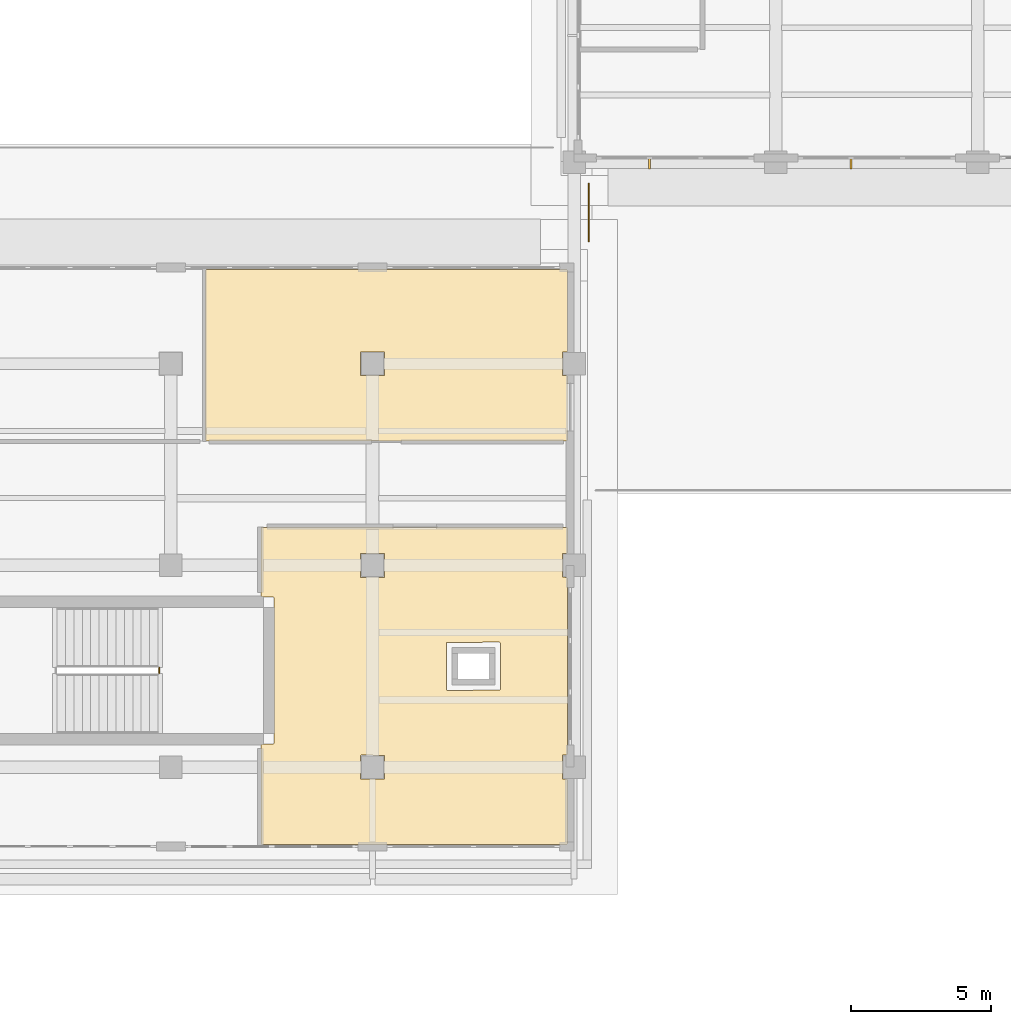
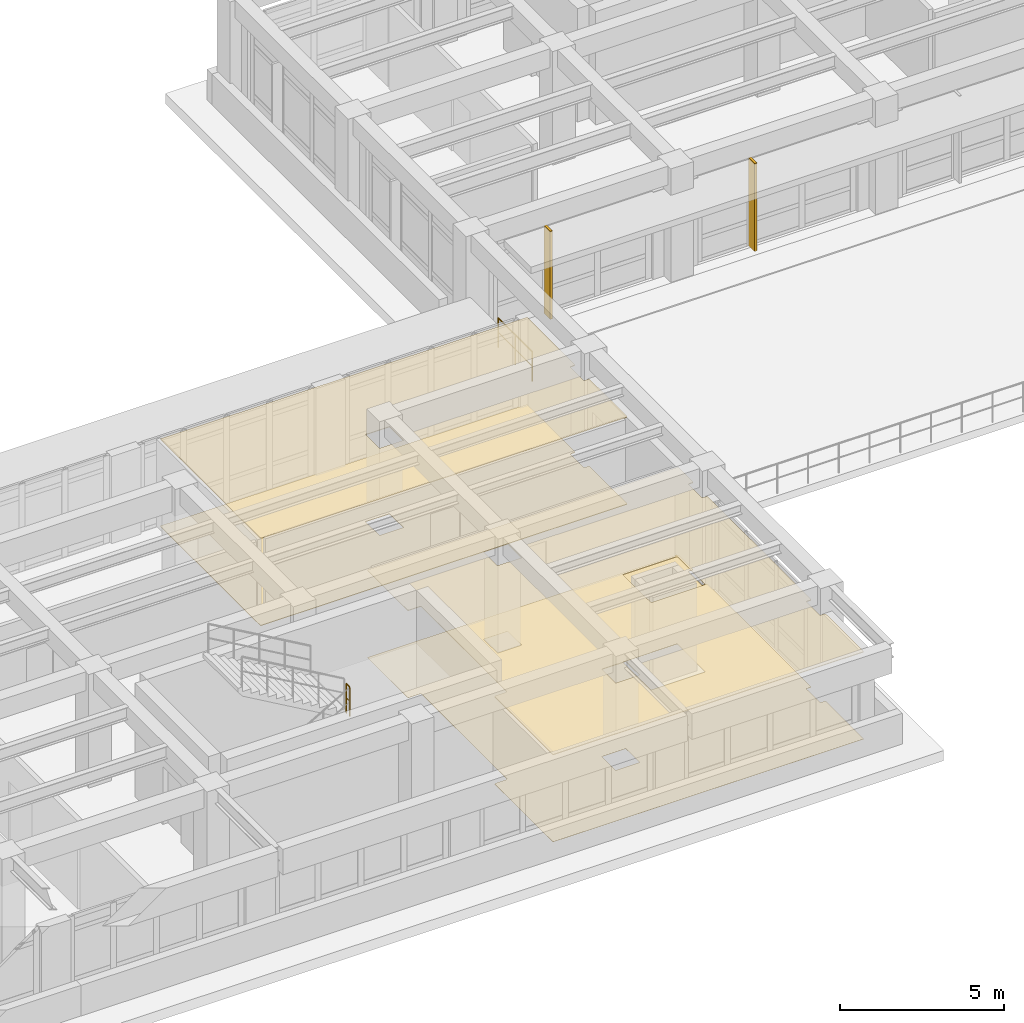
# One storey, part 59 of 67: 4 coverings, 2 railings, 2 shading devices.
"""IFC4 building model written with IfcOpenShell, lengths in metres."""

from ifc_helpers import new_model, si_unit, direction, frame, origin, origin_2d, place, context, subcontext, project, spatial, polyline, rectangle, circle, outline, extrude, material, layer, layer_set, material_profile, profile_set, type_object, element, save


model = new_model("IFC4")

# Units and contexts
model_context = context("Model", 3, precision=1e-05, world=origin(), true_north=direction((0.0, 1.0)))
body_context = subcontext(model_context, "Body", "Model", "MODEL_VIEW")
ifc_project = project(units=[si_unit("LENGTHUNIT", "METRE"), si_unit("AREAUNIT", "SQUARE_METRE"), si_unit("VOLUMEUNIT", "CUBIC_METRE"), si_unit("PLANEANGLEUNIT", "RADIAN"), si_unit("MASSUNIT", "GRAM", prefix="KILO")], contexts=[model_context])

# Site, building, storey
site_placement = place(None, origin())
site = spatial("IfcSite", under=ifc_project, at=site_placement, CompositionType="ELEMENT")
building_placement = place(site_placement, origin())
building = spatial("IfcBuilding", under=site, at=building_placement, Name="Solenvale Faculty of Natural Sciences", CompositionType="ELEMENT")
storey_placement = place(building_placement, frame((0.0, 0.0, 13.5)))
storey = spatial("IfcBuildingStorey", under=building, at=storey_placement, Name="L03", CompositionType="ELEMENT", Elevation=13.5)

# Coverings
ifc_material_1 = material(Name="Acoustic mineral-timber ceiling", Category="wood")
ifc_layer_1 = layer(ifc_material_1, 0.02490234375)
ifc_layer_set_1 = layer_set([ifc_layer_1], Name="Acoustic mineral-timber ceiling")
covering_type_1 = type_object("IfcCoveringType", Name="COV-CEIL-AC25", PredefinedType="CEILING", material=ifc_layer_set_1)
covering_1_placement = place(storey_placement, frame((0.0, 0.0, 3.235107421875)))
element("IfcCovering", 1, at=covering_1_placement, inside=storey, type_object=covering_type_1, Name="L03 Inorganic Chemistry Laboratory Acoustic Ceiling", PredefinedType="CEILING", context=body_context, shape_type="SweptSolid", body=[
    extrude(outline(polyline([(104.050048828125, 18.840087890625), (104.029052734375, 18.84912109375), (104.02001953125, 18.8701171875), (104.02001953125, 22.39306640625), (104.047119140625, 22.419921875), (104.4541015625, 22.419921875), (104.47998046875, 22.448974609375), (104.47998046875, 27.64990234375), (104.4541015625, 27.679931640625), (104.047119140625, 27.679931640625), (104.02099609375, 27.7041015625), (104.02001953125, 30.1298828125), (104.029052734375, 30.15087890625), (104.050048828125, 30.159912109375), (114.929931640625, 30.159912109375), (114.950927734375, 30.15087890625), (114.9599609375, 30.1298828125), (114.958984375, 29.2490234375), (114.93603515625, 29.22607421875), (114.783935546875, 29.22509765625), (114.77490234375, 29.214111328125), (114.77490234375, 28.383056640625), (114.93603515625, 28.3740234375), (114.9599609375, 28.344970703125), (114.9599609375, 22.054931640625), (114.93603515625, 22.02587890625), (114.783935546875, 22.02490234375), (114.77490234375, 22.013916015625), (114.77490234375, 21.18310546875), (114.93603515625, 21.174072265625), (114.9599609375, 21.14794921875), (114.9599609375, 18.8701171875), (114.950927734375, 18.84912109375), (114.929931640625, 18.840087890625), (104.050048828125, 18.840087890625)]), holes=[polyline([(112.56005859375, 26.031982421875), (112.550048828125, 26.052001953125), (112.530029296875, 26.06005859375), (110.64990234375, 26.052001953125), (110.639892578125, 26.030029296875), (110.64794921875, 24.35009765625), (110.669921875, 24.340087890625), (112.550048828125, 24.347900390625), (112.56005859375, 24.3701171875), (112.56005859375, 26.031982421875)]), polyline([(107.5859375, 22.02490234375), (107.574951171875, 22.013916015625), (107.577880859375, 21.177978515625), (108.422119140625, 21.177978515625), (108.422119140625, 22.02197265625), (107.5859375, 22.02490234375)]), polyline([(107.5859375, 29.22509765625), (107.574951171875, 29.214111328125), (107.577880859375, 28.3779296875), (108.422119140625, 28.3779296875), (108.422119140625, 29.221923828125), (107.5859375, 29.22509765625)])]), origin(), (0.0, 0.0, 1.0), 0.02490234375),
])
covering_2_placement = place(storey_placement, frame((0.0, 0.0, 3.235107421875)))
element("IfcCovering", 2, at=covering_2_placement, inside=storey, type_object=covering_type_1, Name="L03 Seminar Room Acoustic Ceiling", PredefinedType="CEILING", context=body_context, shape_type="SweptSolid", body=[
    extrude(outline(polyline([(114.929931640625, 39.360107421875), (114.950927734375, 39.35107421875), (114.9599609375, 39.330078125), (114.9599609375, 36.455078125), (114.93603515625, 36.426025390625), (114.77490234375, 36.4169921875), (114.77490234375, 35.5859375), (114.783935546875, 35.574951171875), (114.93603515625, 35.573974609375), (114.9599609375, 35.548095703125), (114.9599609375, 33.27001953125), (114.944091796875, 33.243896484375), (102.070068359375, 33.239990234375), (102.0439453125, 33.256103515625), (102.0400390625, 39.330078125), (102.055908203125, 39.35595703125), (114.929931640625, 39.360107421875)]), holes=[polyline([(107.5859375, 36.425048828125), (107.574951171875, 36.4140625), (107.577880859375, 35.577880859375), (108.422119140625, 35.577880859375), (108.422119140625, 36.422119140625), (107.5859375, 36.425048828125)])]), origin(), (0.0, 0.0, 1.0), 0.02490234375),
])
ifc_material_2 = material(Name="Polished slate terrazzo flooring", Category="masonry")
ifc_layer_2 = layer(ifc_material_2, 0.01806640625)
ifc_layer_set_2 = layer_set([ifc_layer_2], Name="Polished slate terrazzo flooring")
covering_type_2 = type_object("IfcCoveringType", Name="COV-FLR-TRZ18", PredefinedType="FLOORING", material=ifc_layer_set_2)
covering_3_placement = place(storey_placement, origin())
element("IfcCovering", 3, at=covering_3_placement, inside=storey, type_object=covering_type_2, Name="L03 Seminar Room Floor Finish", PredefinedType="FLOORING", context=body_context, shape_type="SweptSolid", body=[
    extrude(outline(polyline([(114.929931640625, 39.360107421875), (114.950927734375, 39.35107421875), (114.9599609375, 39.330078125), (114.9599609375, 36.455078125), (114.93603515625, 36.426025390625), (114.77490234375, 36.4169921875), (114.77490234375, 35.5859375), (114.783935546875, 35.574951171875), (114.93603515625, 35.573974609375), (114.9599609375, 35.548095703125), (114.9599609375, 33.27001953125), (114.944091796875, 33.243896484375), (102.070068359375, 33.239990234375), (102.0439453125, 33.256103515625), (102.0400390625, 39.330078125), (102.055908203125, 39.35595703125), (114.929931640625, 39.360107421875)]), holes=[polyline([(107.5859375, 36.425048828125), (107.574951171875, 36.4140625), (107.577880859375, 35.577880859375), (108.422119140625, 35.577880859375), (108.422119140625, 36.422119140625), (107.5859375, 36.425048828125)])]), origin(), (0.0, 0.0, 1.0), 0.01806640625),
])
ifc_material_3 = material(Name="Seamless laboratory vinyl flooring")
ifc_layer_3 = layer(ifc_material_3, 0.008056640625)
ifc_layer_set_3 = layer_set([ifc_layer_3], Name="Seamless laboratory vinyl flooring")
covering_type_3 = type_object("IfcCoveringType", Name="COV-FLR-VNL08", PredefinedType="FLOORING", material=ifc_layer_set_3)
covering_4_placement = place(storey_placement, origin())
element("IfcCovering", 4, at=covering_4_placement, inside=storey, type_object=covering_type_3, Name="L03 Inorganic Chemistry Laboratory Floor Finish", PredefinedType="FLOORING", context=body_context, shape_type="SweptSolid", body=[
    extrude(outline(polyline([(104.050048828125, 18.840087890625), (104.029052734375, 18.84912109375), (104.02001953125, 18.8701171875), (104.02001953125, 22.39306640625), (104.047119140625, 22.419921875), (104.4541015625, 22.419921875), (104.47998046875, 22.448974609375), (104.47998046875, 27.64990234375), (104.4541015625, 27.679931640625), (104.047119140625, 27.679931640625), (104.02099609375, 27.7041015625), (104.02001953125, 30.1298828125), (104.029052734375, 30.15087890625), (104.050048828125, 30.159912109375), (114.929931640625, 30.159912109375), (114.950927734375, 30.15087890625), (114.9599609375, 30.1298828125), (114.958984375, 29.2490234375), (114.93603515625, 29.22607421875), (114.783935546875, 29.22509765625), (114.77490234375, 29.214111328125), (114.77490234375, 28.383056640625), (114.93603515625, 28.3740234375), (114.9599609375, 28.344970703125), (114.9599609375, 22.054931640625), (114.93603515625, 22.02587890625), (114.783935546875, 22.02490234375), (114.77490234375, 22.013916015625), (114.77490234375, 21.18310546875), (114.93603515625, 21.174072265625), (114.9599609375, 21.14794921875), (114.9599609375, 18.8701171875), (114.950927734375, 18.84912109375), (114.929931640625, 18.840087890625), (104.050048828125, 18.840087890625)]), holes=[polyline([(112.56005859375, 26.031982421875), (112.550048828125, 26.052001953125), (112.530029296875, 26.06005859375), (110.64990234375, 26.052001953125), (110.639892578125, 26.030029296875), (110.64794921875, 24.35009765625), (110.669921875, 24.340087890625), (112.550048828125, 24.347900390625), (112.56005859375, 24.3701171875), (112.56005859375, 26.031982421875)]), polyline([(107.5859375, 22.02490234375), (107.574951171875, 22.013916015625), (107.577880859375, 21.177978515625), (108.422119140625, 21.177978515625), (108.422119140625, 22.02197265625), (107.5859375, 22.02490234375)]), polyline([(107.5859375, 29.22509765625), (107.574951171875, 29.214111328125), (107.577880859375, 28.3779296875), (108.422119140625, 28.3779296875), (108.422119140625, 29.221923828125), (107.5859375, 29.22509765625)])]), origin(), (0.0, 0.0, 1.0), 0.008056640625),
])

# Railings
ifc_material_4 = material(Name="Stainless steel Grade 304", Category="steel")
railing_type_1 = type_object("IfcRailingType", Name="RL-GRD-1100", PredefinedType="GUARDRAIL", material=ifc_material_4)
railing_1_placement = place(storey_placement, frame((100.389892578125, 24.949951171875, 2.25)))
element("IfcRailing", 5, at=railing_1_placement, inside=storey, type_object=railing_type_1, Name="L03 ST-07 stair guard 2", PredefinedType="GUARDRAIL", context=body_context, shape_type="SweptSolid", body=[
    extrude(circle(Radius=0.02392578125, at=origin_2d()), frame((0.0, 0.0, 1.09619140625), z_axis=(0.0, 1.0, 0.0), x_axis=(-1.0, 0.0, 0.0)), (0.0, 0.0, 1.0), 0.199951171875),
    extrude(circle(Radius=0.01611328125, at=origin_2d()), frame((0.0, 0.0, 0.56005859375), z_axis=(0.0, 1.0, 0.0), x_axis=(-1.0, 0.0, 0.0)), (0.0, 0.0, 1.0), 0.199951171875),
    extrude(circle(Radius=0.02099609375, at=origin_2d()), origin(), (0.0, 0.0, 1.0), 1.072021484375),
    extrude(circle(Radius=0.02099609375, at=origin_2d()), frame((0.0, 0.199951171875, 0.0)), (0.0, 0.0, 1.0), 1.072021484375),
])
railing_type_2 = type_object("IfcRailingType", Name="RL-TERR-1100", PredefinedType="GUARDRAIL", material=ifc_material_4)
railing_2_placement = place(storey_placement, frame((115.719970703125, 42.43994140625, 0.0)))
element("IfcRailing", 6, at=railing_2_placement, inside=storey, type_object=railing_type_2, Name="L03 Terrace Guardrail 1.3", PredefinedType="GUARDRAIL", context=body_context, shape_type="SweptSolid", body=[
    extrude(circle(Radius=0.02392578125, at=origin_2d()), frame((0.0, 0.0, 1.09619140625), z_axis=(0.0, -1.0, 0.0), x_axis=(1.0, 0.0, 0.0)), (0.0, 0.0, 1.0), 2.079833984375),
    extrude(circle(Radius=0.01611328125, at=origin_2d()), frame((0.0, 0.0, 0.56005859375), z_axis=(0.0, -1.0, 0.0), x_axis=(1.0, 0.0, 0.0)), (0.0, 0.0, 1.0), 2.079833984375),
    extrude(circle(Radius=0.02099609375, at=origin_2d()), origin(), (0.0, 0.0, 1.0), 1.072021484375),
    extrude(circle(Radius=0.02099609375, at=origin_2d()), frame((0.0, -1.0400390625, 0.0)), (0.0, 0.0, 1.0), 1.072021484375),
    extrude(circle(Radius=0.02099609375, at=origin_2d()), frame((0.0, -2.079833984375, 0.0)), (0.0, 0.0, 1.0), 1.072021484375),
])

# Shading devices
ifc_material_5 = material(Name="Anodised bronze aluminium", Category="aluminium")
ifc_material_profile = material_profile(ifc_material_5, rectangle(XDim=0.080078125, YDim=0.360107421875, at=origin_2d()), Name="ALU-FIN-80x360")
ifc_profile_set = profile_set([ifc_material_profile], Name="Anodised bronze aluminium")
shading_device_type = type_object("IfcShadingDeviceType", Name="SHD-FIN-360", PredefinedType="JALOUSIE", material=ifc_profile_set)
for number, where, z_axis, x_axis, name in (
    (7, (117.88330078125, 43.139892578125, -0.02001953125), (0.0, 0.0, 1.0), (1.0, 0.0, 0.0), "L03 Vertical Brise-Soleil Fin 1.1"),
    (8, (125.083251953125, 43.139892578125, -0.02001953125), (0.0, 0.0, 1.0), (1.0, 0.0, 0.0), "L03 Vertical Brise-Soleil Fin 1.2"),
):
    element("IfcShadingDevice", number, at=place(storey_placement, frame(where, z_axis=z_axis, x_axis=x_axis)), inside=storey, type_object=shading_device_type, Name=name, PredefinedType="JALOUSIE", context=body_context, shape_type="SweptSolid", body=[
        extrude(rectangle(XDim=0.080078125, YDim=0.360107421875, at=origin_2d()), origin(), (0.0, 0.0, 1.0), 3.280029296875),
    ])

save(model, "model.ifc")
